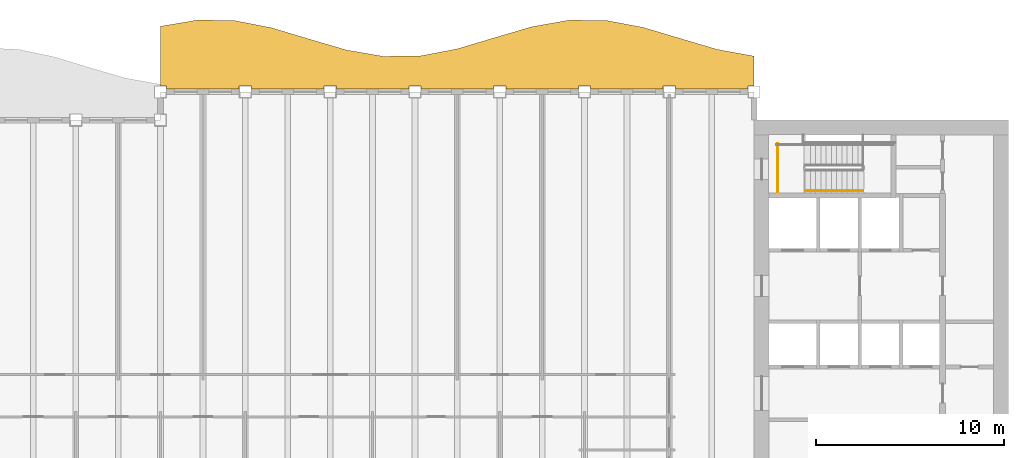
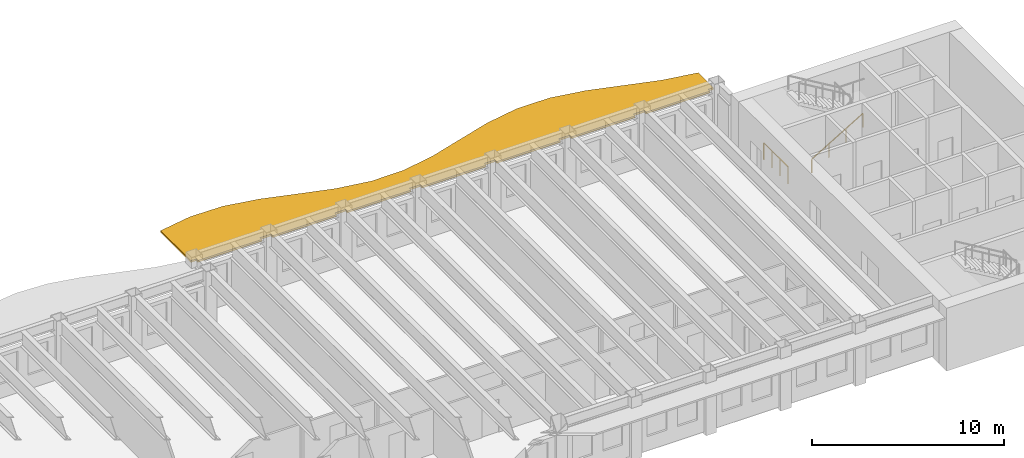
# One storey, part 11 of 12: 2 railings, 1 shading device.
"""IFC4 building model written with IfcOpenShell, lengths in metres."""

import ifcopenshell
import ifcopenshell.guid

model = None  # the IFC model being written
_history = None  # IfcOwnerHistory: only IFC2X3 demands one
_inside = {}  # id of a spatial element -> (the spatial element, [elements in it])
_under = {}  # id of a project, library or spatial element -> (it, [spatial elements below it])
_declared = {}  # id of a project -> (the project, [libraries it declares])
_typed = {}  # id of a type object -> (the type object, [elements of that type])
_made_of = {}  # id of a material, layer set ... -> (it, [elements and type objects made of it])


def new_model(schema):
    """Start an empty IFC model of exactly this schema.

    Asked for "IFC4X3", IfcOpenShell would pick the latest addendum, in which some entities
    have other attributes; the version numbers below select the first issue.
    IFC2X3 requires an IfcOwnerHistory on every rooted entity: one is made here for all.
    """
    global model, _history
    if schema == "IFC4X3":
        model = ifcopenshell.file(schema_version=(4, 3, 0, 0))
    else:
        model = ifcopenshell.file(schema=schema)
    _inside.clear()
    _under.clear()
    _declared.clear()
    _typed.clear()
    _made_of.clear()
    _history = None
    if model.schema == "IFC2X3":
        org = make("IfcOrganization", Name="unknown")
        user = make(
            "IfcPersonAndOrganization",
            ThePerson=make("IfcPerson", FamilyName="unknown"),
            TheOrganization=org,
        )
        app = make(
            "IfcApplication",
            ApplicationDeveloper=org,
            Version="unknown",
            ApplicationFullName="unknown",
            ApplicationIdentifier="unknown",
        )
        _history = make(
            "IfcOwnerHistory",
            OwningUser=user,
            OwningApplication=app,
            ChangeAction="ADDED",
            CreationDate=0,
        )
    return model


def make(cls, **values):
    """One entity of the class cls with the attributes given. An attribute that is None is left unset."""
    return model.create_entity(
        cls, **{name: value for name, value in values.items() if value is not None}
    )


def rooted(cls, **values):
    """An entity with a GlobalId (a new one), such as an element, a storey or a relation."""
    return make(cls, GlobalId=ifcopenshell.guid.new(), OwnerHistory=_history, **values)


def si_unit(unit_type, name, prefix=None):
    """IfcSIUnit, for example si_unit("LENGTHUNIT", "METRE", prefix="MILLI")."""
    return make("IfcSIUnit", UnitType=unit_type, Prefix=prefix, Name=name)


def assignment(units):
    """IfcUnitAssignment: the units of a project."""
    return None if units is None else make("IfcUnitAssignment", Units=units)


def point(xyz):
    """IfcCartesianPoint."""
    return None if xyz is None else make("IfcCartesianPoint", Coordinates=xyz)


def direction(xyz):
    """IfcDirection."""
    return None if xyz is None else make("IfcDirection", DirectionRatios=xyz)


def frame(location, z_axis=None, x_axis=None):
    """IfcAxis2Placement3D, a coordinate frame: its origin and axes. An axis left out is left unset."""
    return make(
        "IfcAxis2Placement3D",
        Location=point(location),
        Axis=direction(z_axis),
        RefDirection=direction(x_axis),
    )


def frame_2d(location, x_axis=None):
    """IfcAxis2Placement2D, a coordinate frame in the plane: its origin and x axis."""
    return make(
        "IfcAxis2Placement2D", Location=point(location), RefDirection=direction(x_axis)
    )


def origin():
    """The frame at (0, 0, 0) with its axes left unset."""
    return frame((0.0, 0.0, 0.0))


def origin_2d():
    """The frame at (0, 0) in the plane with its x axis left unset."""
    return frame_2d((0.0, 0.0))


def place(relative_to, where):
    """IfcLocalPlacement: puts the frame where relative to a parent placement (None: the world)."""
    return make(
        "IfcLocalPlacement", PlacementRelTo=relative_to, RelativePlacement=where
    )


def context(
    kind, dimensions, precision=None, world=None, true_north=None, identifier=None
):
    """IfcGeometricRepresentationContext, for example the 3D "Model" context."""
    return make(
        "IfcGeometricRepresentationContext",
        ContextIdentifier=identifier,
        ContextType=kind,
        CoordinateSpaceDimension=dimensions,
        Precision=precision,
        WorldCoordinateSystem=world,
        TrueNorth=true_north,
    )


def subcontext(parent, identifier, kind, view, scale=None):
    """IfcGeometricRepresentationSubContext, for example "Body" below "Model"."""
    return make(
        "IfcGeometricRepresentationSubContext",
        ContextIdentifier=identifier,
        ContextType=kind,
        ParentContext=parent,
        TargetScale=scale,
        TargetView=view,
    )


def project(units=None, contexts=None):
    """IfcProject with its units and contexts."""
    return rooted(
        "IfcProject",
        Name="project",
        RepresentationContexts=contexts,
        UnitsInContext=assignment(units),
    )


def spatial(cls, under=None, at=None, **own):
    """A site, building, storey or space (cls), placed at a placement, below another one or the project."""
    s = rooted(cls, ObjectPlacement=at, **own)
    if under is not None:
        _under.setdefault(under.id(), (under, []))[1].append(s)
    return s


def polyline(points):
    """IfcPolyline through the points."""
    return make("IfcPolyline", Points=[point(p) for p in points])


def profile(cls, at=None, kind="AREA", **sizes):
    """A parametric profile (cls). Its sizes go by their IFC names, for example OverallWidth=200.0."""
    return make(cls, ProfileType=kind, Position=at, **sizes)


def rectangle(**sizes):
    """IfcRectangleProfileDef."""
    return profile("IfcRectangleProfileDef", **sizes)


def outline(outer, holes=None, kind="AREA"):
    """IfcArbitraryClosedProfileDef: a profile drawn as a closed curve; with holes, ...WithVoids."""
    if holes is None:
        return make("IfcArbitraryClosedProfileDef", ProfileType=kind, OuterCurve=outer)
    return make(
        "IfcArbitraryProfileDefWithVoids",
        ProfileType=kind,
        OuterCurve=outer,
        InnerCurves=holes,
    )


def extrude(swept, where, along, depth):
    """IfcExtrudedAreaSolid: the profile swept, set in the frame where, extruded along a direction by depth."""
    return make(
        "IfcExtrudedAreaSolid",
        SweptArea=swept,
        Position=where,
        ExtrudedDirection=direction(along),
        Depth=depth,
    )


def shape(context_of_items, identifier, shape_type, items):
    """IfcShapeRepresentation: the items that make up one representation, for example the "Body"."""
    return make(
        "IfcShapeRepresentation",
        ContextOfItems=context_of_items,
        RepresentationIdentifier=identifier,
        RepresentationType=shape_type,
        Items=items,
    )


def material(Name=None, Category=None):
    """IfcMaterial."""
    return make("IfcMaterial", Name=Name, Category=Category)


def layer(
    of_material, thickness, ventilated=None, Name=None, Category=None, Priority=None
):
    """IfcMaterialLayer: one layer of a wall or slab, of a material (None: an air gap)."""
    return make(
        "IfcMaterialLayer",
        Material=of_material,
        LayerThickness=thickness,
        IsVentilated=ventilated,
        Name=Name,
        Category=Category,
        Priority=Priority,
    )


def layer_set(layers, Name=None):
    """IfcMaterialLayerSet."""
    return make("IfcMaterialLayerSet", MaterialLayers=layers, LayerSetName=Name)


def made_of(thing, what):
    """Note that an element or type object is made of a material, layer set ...; save() writes the relation."""
    if what is not None:
        _made_of.setdefault(what.id(), (what, []))[1].append(thing)
    return thing


def type_object(cls, material=None, **own):
    """A type object (cls), such as IfcWallType, which elements share."""
    return made_of(rooted(cls, **own), material)


def element(
    cls,
    number,
    at=None,
    inside=None,
    cuts=None,
    type_object=None,
    material=None,
    context=None,
    identifier="Body",
    shape_type=None,
    held_by="IfcProductDefinitionShape",
    body=None,
    shapes=None,
    **own,
):
    """One element of the class cls, such as IfcWall. Its Tag is "e" and its number.

    at: its placement. inside: the storey or other place that contains it. cuts: it is an
    opening in that element (IfcRelVoidsElement). A single representation is given by context,
    identifier, shape_type and body (its items); several are given by shapes. held_by: the class
    of the entity that holds the representations. save() writes the other relations.
    """
    e = rooted(cls, Tag="e%d" % number, ObjectPlacement=at, **own)
    if body is not None:
        shapes = [shape(context, identifier, shape_type, body)]
    if shapes is not None:
        e.Representation = make(held_by, Representations=shapes)
    if inside is not None:
        _inside.setdefault(inside.id(), (inside, []))[1].append(e)
    if cuts is not None:
        rooted(
            "IfcRelVoidsElement", RelatingBuildingElement=cuts, RelatedOpeningElement=e
        )
    if type_object is not None:
        _typed.setdefault(type_object.id(), (type_object, []))[1].append(e)
    return made_of(e, material)


def aggregate(whole, parts):
    """IfcRelAggregates: a whole, such as a stair, and the parts it consists of."""
    return rooted("IfcRelAggregates", RelatingObject=whole, RelatedObjects=parts)


def save(model, path):
    """Write the relations noted so far, then the file.

    IfcRelAggregates (storeys below a building ...), IfcRelContainedInSpatialStructure (elements
    in a storey), IfcRelDefinesByType, IfcRelAssociatesMaterial and IfcRelDeclares: one each for
    every whole, place, type object, material and project.
    """
    for whole, parts in _under.values():
        aggregate(whole, parts)
    for where, things in _inside.values():
        rooted(
            "IfcRelContainedInSpatialStructure",
            RelatedElements=things,
            RelatingStructure=where,
        )
    for kind, things in _typed.values():
        rooted("IfcRelDefinesByType", RelatedObjects=things, RelatingType=kind)
    for what, things in _made_of.values():
        rooted("IfcRelAssociatesMaterial", RelatedObjects=things, RelatingMaterial=what)
    for by, libraries in _declared.values():
        rooted("IfcRelDeclares", RelatingContext=by, RelatedDefinitions=libraries)
    model.write(path)


model = new_model("IFC4")

# Units and contexts
model_context = context("Model", 3, precision=1e-05, world=origin(), true_north=direction((0.0, 1.0)))
body_context = subcontext(model_context, "Body", "Model", "MODEL_VIEW")
ifc_project = project(units=[si_unit("LENGTHUNIT", "METRE"), si_unit("AREAUNIT", "SQUARE_METRE"), si_unit("VOLUMEUNIT", "CUBIC_METRE"), si_unit("PLANEANGLEUNIT", "RADIAN"), si_unit("MASSUNIT", "GRAM", prefix="KILO")], contexts=[model_context])

# Site, building, storey
site_placement = place(None, origin())
site = spatial("IfcSite", under=ifc_project, at=site_placement, CompositionType="ELEMENT")
building_placement = place(site_placement, origin())
building = spatial("IfcBuilding", under=site, at=building_placement, Name="Sennacour Bend Tower", CompositionType="ELEMENT")
storey_placement = place(building_placement, frame((0.0, 0.0, 277.0)))
storey = spatial("IfcBuildingStorey", under=building, at=storey_placement, Name="L64", CompositionType="ELEMENT", Elevation=277.0)

# Railings
ifc_material_1 = material(Name="Stainless steel", Category="steel")
railing_type_1 = type_object("IfcRailingType", Name="RL-GUARD-1100", PredefinedType="GUARDRAIL", material=ifc_material_1)
railing_1_placement = place(storey_placement, frame((55.25, 18.699951171875, 0.0)))
element("IfcRailing", 1, at=railing_1_placement, inside=storey, type_object=railing_type_1, Name="L64 SA2 stair guard 7", PredefinedType="GUARDRAIL", context=body_context, shape_type="SweptSolid", body=[
    extrude(rectangle(XDim=0.048095703125, YDim=0.048095703125, at=origin_2d()), frame((0.0, 0.0, 1.076171875), z_axis=(0.0, 1.0, 0.0), x_axis=(-1.0, 0.0, 0.0)), (0.0, 0.0, 1.0), 2.550048828125),
    extrude(rectangle(XDim=0.0419921875, YDim=0.0419921875, at=origin_2d()), origin(), (0.0, 0.0, 1.0), 1.052001953125),
    extrude(rectangle(XDim=0.0419921875, YDim=0.0419921875, at=origin_2d()), frame((0.0, 0.85009765625, 0.0)), (0.0, 0.0, 1.0), 1.052001953125),
    extrude(rectangle(XDim=0.0419921875, YDim=0.0419921875, at=origin_2d()), frame((0.0, 1.699951171875, 0.0)), (0.0, 0.0, 1.0), 1.052001953125),
    extrude(rectangle(XDim=0.0419921875, YDim=0.0419921875, at=origin_2d()), frame((0.0, 2.550048828125, 0.0)), (0.0, 0.0, 1.0), 1.052001953125),
])
railing_type_2 = type_object("IfcRailingType", Name="RL-HANDRAIL-900", PredefinedType="HANDRAIL", material=ifc_material_1)
railing_2_placement = place(storey_placement, frame((56.699951171875, 18.75, 0.166748046875)))
element("IfcRailing", 2, at=railing_2_placement, inside=storey, type_object=railing_type_2, Name="L64 SA2 stair handrail 1", PredefinedType="HANDRAIL", context=body_context, shape_type="SweptSolid", body=[
    extrude(rectangle(XDim=0.048095703125, YDim=0.048095703125, at=origin_2d()), frame((0.0, 0.0, 0.8759765625), z_axis=(0.859308565015, 0.0, 0.511457515432), x_axis=(0.0, 1.0, 0.0)), (0.0, 0.0, 1.0), 3.58447265625),
    extrude(rectangle(XDim=0.0419921875, YDim=0.0419921875, at=origin_2d()), origin(), (0.0, 0.0, 1.0), 0.851806640625),
    extrude(rectangle(XDim=0.0419921875, YDim=0.0419921875, at=origin_2d()), frame((1.026611328125, 0.0, 0.611083984375)), (0.0, 0.0, 1.0), 0.851806640625),
    extrude(rectangle(XDim=0.0419921875, YDim=0.0419921875, at=origin_2d()), frame((2.053466796875, 0.0, 1.22216796875)), (0.0, 0.0, 1.0), 0.851806640625),
    extrude(rectangle(XDim=0.0419921875, YDim=0.0419921875, at=origin_2d()), frame((3.080078125, 0.0, 1.833251953125)), (0.0, 0.0, 1.0), 0.851806640625),
])

# Shading device
ifc_material_2 = material(Name="Bronze anodised aluminium", Category="aluminium")
ifc_layer = layer(ifc_material_2, 0.1201171875, Name="Bronze anodised aluminium", Category="aluminium")
ifc_layer_set = layer_set([ifc_layer], Name="Bronze anodised aluminium")
shading_device_type = type_object("IfcShadingDeviceType", Name="SUNSHADE BAND WAVE", PredefinedType="USERDEFINED", material=ifc_layer_set)
shading_device_placement = place(storey_placement, frame((0.0, 0.0, 3.0419921875)))
element("IfcShadingDevice", 3, at=shading_device_placement, inside=storey, type_object=shading_device_type, Name="Sunshade band L64 concave faces", ObjectType="SUNSHADE", PredefinedType="USERDEFINED", context=body_context, shape_type="SweptSolid", body=[
    extrude(outline(polyline([(53.675048828125, 24.14990234375), (49.824951171875, 24.14990234375), (49.824951171875, 24.324951171875), (49.175048828125, 24.324951171875), (49.175048828125, 24.14990234375), (45.324951171875, 24.14990234375), (45.324951171875, 24.324951171875), (44.675048828125, 24.324951171875), (44.675048828125, 24.14990234375), (40.824951171875, 24.14990234375), (40.824951171875, 24.324951171875), (40.175048828125, 24.324951171875), (40.175048828125, 24.14990234375), (36.324951171875, 24.14990234375), (36.324951171875, 24.324951171875), (35.675048828125, 24.324951171875), (35.675048828125, 24.14990234375), (31.824951171875, 24.14990234375), (31.824951171875, 24.324951171875), (31.175048828125, 24.324951171875), (31.175048828125, 24.14990234375), (27.324951171875, 24.14990234375), (27.324951171875, 24.324951171875), (26.675048828125, 24.324951171875), (26.675048828125, 24.14990234375), (22.824951171875, 24.14990234375), (22.824951171875, 24.324951171875), (22.5, 24.324951171875), (22.5, 27.48291015625), (24.46875, 27.816162109375), (26.4375, 27.784423828125), (28.40625, 27.399658203125), (30.375, 26.80712890625), (32.34375, 26.23095703125), (34.3125, 25.888427734375), (36.28125, 25.909423828125), (38.25, 26.28564453125), (40.21875, 26.875), (42.1875, 27.455078125), (44.15625, 27.806396484375), (46.125, 27.79638671875), (48.09375, 27.42919921875), (50.0625, 26.843017578125), (52.03125, 26.25927734375), (54.0, 25.89892578125), (54.0, 24.324951171875), (53.675048828125, 24.324951171875), (53.675048828125, 24.14990234375)])), origin(), (0.0, 0.0, 1.0), 0.1201171875),
])

save(model, "model.ifc")
